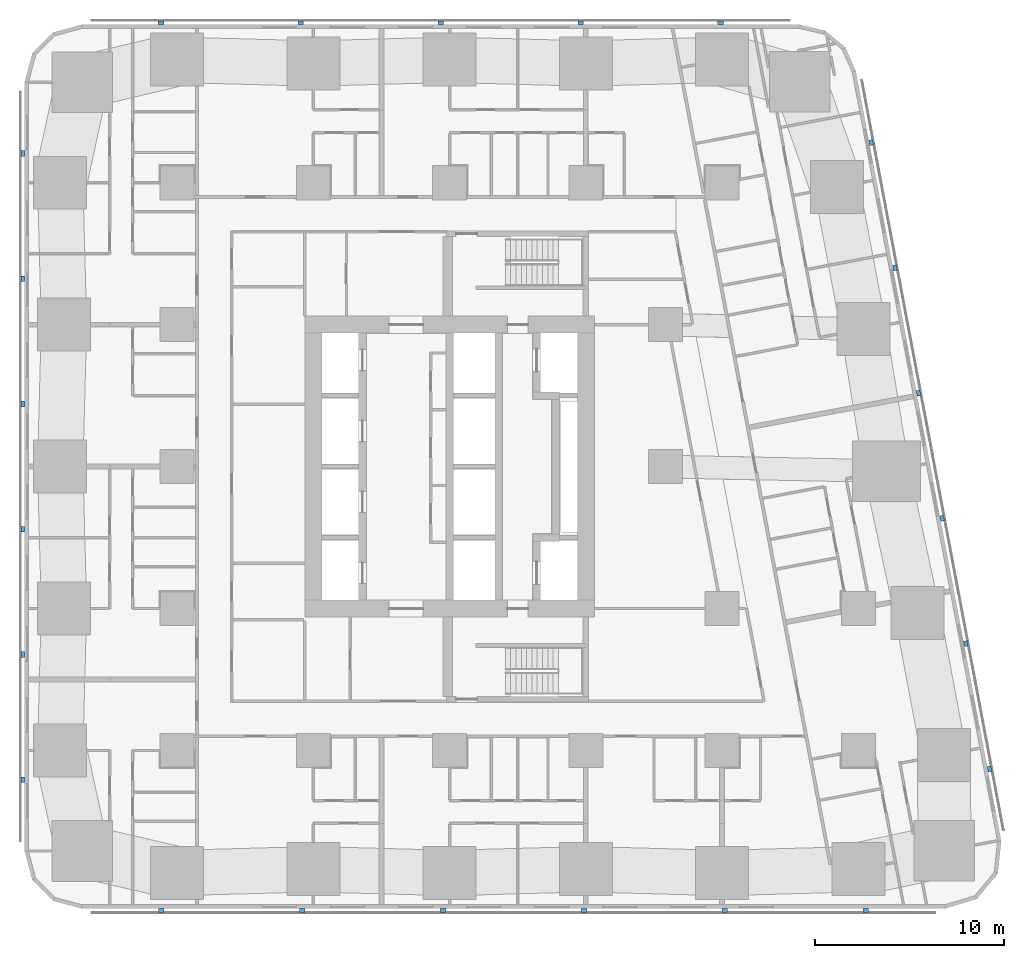
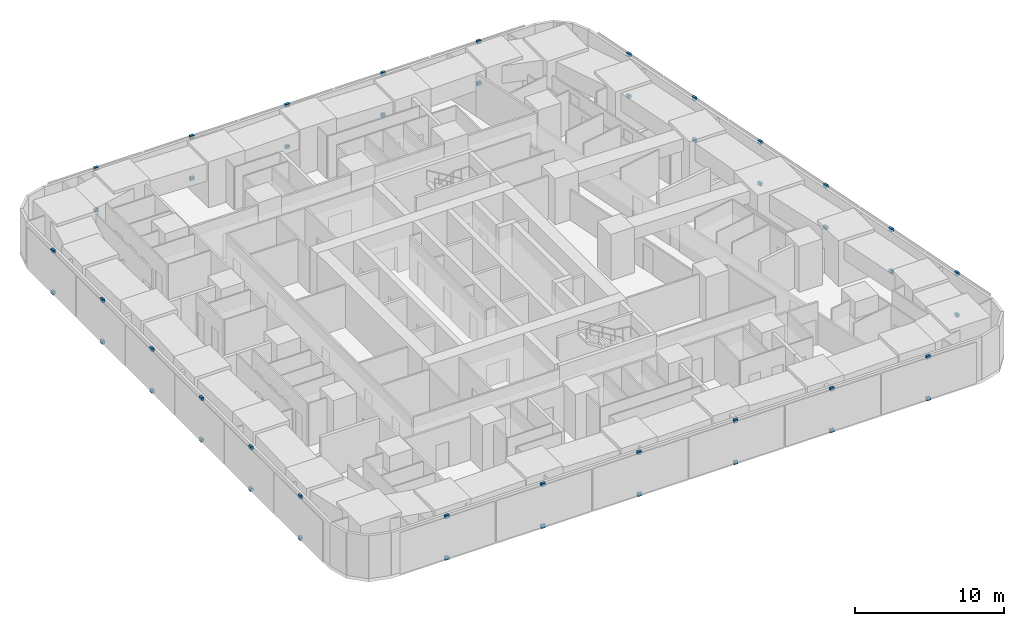
# One storey, part 12 of 16: 46 discrete accessories.
"""IFC4 building model written with IfcOpenShell, lengths in metres."""

from ifc_helpers import new_model, si_unit, direction, frame, origin, origin_2d, place, context, subcontext, project, spatial, rectangle, extrude, material, type_object, element, save


model = new_model("IFC4")

# Units and contexts
model_context = context("Model", 3, precision=1e-05, world=origin(), true_north=direction((0.0, 1.0)))
body_context = subcontext(model_context, "Body", "Model", "MODEL_VIEW")
ifc_project = project(units=[si_unit("LENGTHUNIT", "METRE"), si_unit("AREAUNIT", "SQUARE_METRE"), si_unit("VOLUMEUNIT", "CUBIC_METRE"), si_unit("PLANEANGLEUNIT", "RADIAN"), si_unit("MASSUNIT", "GRAM", prefix="KILO")], contexts=[model_context])

# Site, building, storey
site_placement = place(None, origin())
site = spatial("IfcSite", under=ifc_project, at=site_placement, CompositionType="ELEMENT")
building_placement = place(site_placement, origin())
building = spatial("IfcBuilding", under=site, at=building_placement, Name="Sheger Commons Tower", CompositionType="ELEMENT")
storey_placement = place(building_placement, frame((0.0, 0.0, 53.75)))
storey = spatial("IfcBuildingStorey", under=building, at=storey_placement, Name="L13", CompositionType="ELEMENT", Elevation=53.75)

# Discrete accessories
ifc_material = material(Name="Black painted steel bracket", Category="steel")
discrete_accessory_type = type_object("IfcDiscreteAccessoryType", Name="SCREEN BRACKET 300x200x250", PredefinedType="BRACKET", material=ifc_material)
for number, where, z_axis, x_axis, name in (
    (1, (6.37109375, -0.949951171875, -0.10009765625), (0.0, 0.0, 1.0), (1.0, 0.0, 0.0), "Solar screen foot bracket"),
    (2, (6.37109375, -0.949951171875, 3.300048828125), (0.0, 0.0, 1.0), (1.0, 0.0, 0.0), "Solar screen head bracket"),
    (3, (13.81396484375, -0.949951171875, -0.10009765625), (0.0, 0.0, 1.0), (1.0, 0.0, 0.0), "Solar screen foot bracket"),
    (4, (13.81396484375, -0.949951171875, 3.300048828125), (0.0, 0.0, 1.0), (1.0, 0.0, 0.0), "Solar screen head bracket"),
    (5, (21.257080078125, -0.949951171875, -0.10009765625), (0.0, 0.0, 1.0), (1.0, 0.0, 0.0), "Solar screen foot bracket"),
    (6, (21.257080078125, -0.949951171875, 3.300048828125), (0.0, 0.0, 1.0), (1.0, 0.0, 0.0), "Solar screen head bracket"),
    (7, (28.698974609375, -0.949951171875, -0.10009765625), (0.0, 0.0, 1.0), (1.0, 0.0, 0.0), "Solar screen foot bracket"),
    (8, (28.698974609375, -0.949951171875, 3.300048828125), (0.0, 0.0, 1.0), (1.0, 0.0, 0.0), "Solar screen head bracket"),
    (9, (36.14208984375, -0.949951171875, -0.10009765625), (0.0, 0.0, 1.0), (1.0, 0.0, 0.0), "Solar screen foot bracket"),
    (10, (36.14208984375, -0.949951171875, 3.300048828125), (0.0, 0.0, 1.0), (1.0, 0.0, 0.0), "Solar screen head bracket"),
    (11, (43.5849609375, -0.949951171875, -0.10009765625), (0.0, 0.0, 1.0), (1.0, 0.0, 0.0), "Solar screen foot bracket"),
    (12, (43.5849609375, -0.949951171875, 3.300048828125), (0.0, 0.0, 1.0), (1.0, 0.0, 0.0), "Solar screen head bracket"),
    (13, (50.134033203125, 6.527099609375, -0.10009765625), (0.0, 0.0, 1.0), (-0.185615165645, 0.982622516678, 0.0), "Solar screen foot bracket"),
    (14, (50.134033203125, 6.527099609375, 3.300048828125), (0.0, 0.0, 1.0), (-0.185615165645, 0.982622516678, 0.0), "Solar screen head bracket"),
    (15, (48.884033203125, 13.14599609375, -0.10009765625), (0.0, 0.0, 1.0), (-0.185615165645, 0.982622516678, 0.0), "Solar screen foot bracket"),
    (16, (48.884033203125, 13.14599609375, 3.300048828125), (0.0, 0.0, 1.0), (-0.185615165645, 0.982622516678, 0.0), "Solar screen head bracket"),
    (17, (47.633056640625, 19.76611328125, -0.10009765625), (0.0, 0.0, 1.0), (-0.185615165645, 0.982622516678, 0.0), "Solar screen foot bracket"),
    (18, (47.633056640625, 19.76611328125, 3.300048828125), (0.0, 0.0, 1.0), (-0.185615165645, 0.982622516678, 0.0), "Solar screen head bracket"),
    (19, (46.383056640625, 26.385009765625, -0.10009765625), (0.0, 0.0, 1.0), (-0.185615165645, 0.982622516678, 0.0), "Solar screen foot bracket"),
    (20, (46.383056640625, 26.385009765625, 3.300048828125), (0.0, 0.0, 1.0), (-0.185615165645, 0.982622516678, 0.0), "Solar screen head bracket"),
    (21, (45.133056640625, 33.0048828125, -0.10009765625), (0.0, 0.0, 1.0), (-0.185615165645, 0.982622516678, 0.0), "Solar screen foot bracket"),
    (22, (45.133056640625, 33.0048828125, 3.300048828125), (0.0, 0.0, 1.0), (-0.185615165645, 0.982622516678, 0.0), "Solar screen head bracket"),
    (23, (43.882080078125, 39.6240234375, -0.10009765625), (0.0, 0.0, 1.0), (-0.185615165645, 0.982622516678, 0.0), "Solar screen foot bracket"),
    (24, (43.882080078125, 39.6240234375, 3.300048828125), (0.0, 0.0, 1.0), (-0.185615165645, 0.982622516678, 0.0), "Solar screen head bracket"),
    (25, (35.9208984375, 45.949951171875, -0.10009765625), (0.0, 0.0, 1.0), (-1.0, 0.0, 0.0), "Solar screen foot bracket"),
    (26, (35.9208984375, 45.949951171875, 3.300048828125), (0.0, 0.0, 1.0), (-1.0, 0.0, 0.0), "Solar screen head bracket"),
    (27, (28.528076171875, 45.949951171875, -0.10009765625), (0.0, 0.0, 1.0), (-1.0, 0.0, 0.0), "Solar screen foot bracket"),
    (28, (28.528076171875, 45.949951171875, 3.300048828125), (0.0, 0.0, 1.0), (-1.0, 0.0, 0.0), "Solar screen head bracket"),
    (29, (21.134033203125, 45.949951171875, -0.10009765625), (0.0, 0.0, 1.0), (-1.0, 0.0, 0.0), "Solar screen foot bracket"),
    (30, (21.134033203125, 45.949951171875, 3.300048828125), (0.0, 0.0, 1.0), (-1.0, 0.0, 0.0), "Solar screen head bracket"),
    (31, (13.739990234375, 45.949951171875, -0.10009765625), (0.0, 0.0, 1.0), (-1.0, 0.0, 0.0), "Solar screen foot bracket"),
    (32, (13.739990234375, 45.949951171875, 3.300048828125), (0.0, 0.0, 1.0), (-1.0, 0.0, 0.0), "Solar screen head bracket"),
    (33, (6.346923828125, 45.949951171875, -0.10009765625), (0.0, 0.0, 1.0), (-1.0, 0.0, 0.0), "Solar screen foot bracket"),
    (34, (6.346923828125, 45.949951171875, 3.300048828125), (0.0, 0.0, 1.0), (-1.0, 0.0, 0.0), "Solar screen head bracket"),
    (35, (-0.949951171875, 39.0419921875, -0.10009765625), (0.0, 0.0, 1.0), (0.0, -1.0, 0.0), "Solar screen foot bracket"),
    (36, (-0.949951171875, 39.0419921875, 3.300048828125), (0.0, 0.0, 1.0), (0.0, -1.0, 0.0), "Solar screen head bracket"),
    (37, (-0.949951171875, 32.425048828125, -0.10009765625), (0.0, 0.0, 1.0), (0.0, -1.0, 0.0), "Solar screen foot bracket"),
    (38, (-0.949951171875, 32.425048828125, 3.300048828125), (0.0, 0.0, 1.0), (0.0, -1.0, 0.0), "Solar screen head bracket"),
    (39, (-0.949951171875, 25.80810546875, -0.10009765625), (0.0, 0.0, 1.0), (0.0, -1.0, 0.0), "Solar screen foot bracket"),
    (40, (-0.949951171875, 25.80810546875, 3.300048828125), (0.0, 0.0, 1.0), (0.0, -1.0, 0.0), "Solar screen head bracket"),
    (41, (-0.949951171875, 19.19189453125, -0.10009765625), (0.0, 0.0, 1.0), (0.0, -1.0, 0.0), "Solar screen foot bracket"),
    (42, (-0.949951171875, 19.19189453125, 3.300048828125), (0.0, 0.0, 1.0), (0.0, -1.0, 0.0), "Solar screen head bracket"),
    (43, (-0.949951171875, 12.574951171875, -0.10009765625), (0.0, 0.0, 1.0), (0.0, -1.0, 0.0), "Solar screen foot bracket"),
    (44, (-0.949951171875, 12.574951171875, 3.300048828125), (0.0, 0.0, 1.0), (0.0, -1.0, 0.0), "Solar screen head bracket"),
    (45, (-0.949951171875, 5.9580078125, -0.10009765625), (0.0, 0.0, 1.0), (0.0, -1.0, 0.0), "Solar screen foot bracket"),
    (46, (-0.949951171875, 5.9580078125, 3.300048828125), (0.0, 0.0, 1.0), (0.0, -1.0, 0.0), "Solar screen head bracket"),
):
    element("IfcDiscreteAccessory", number, at=place(storey_placement, frame(where, z_axis=z_axis, x_axis=x_axis)), inside=storey, type_object=discrete_accessory_type, Name=name, PredefinedType="BRACKET", context=body_context, shape_type="SweptSolid", body=[
        extrude(rectangle(XDim=0.300048828125, YDim=0.199951171875, at=origin_2d()), origin(), (0.0, 0.0, 1.0), 0.25),
    ])

save(model, "model.ifc")
